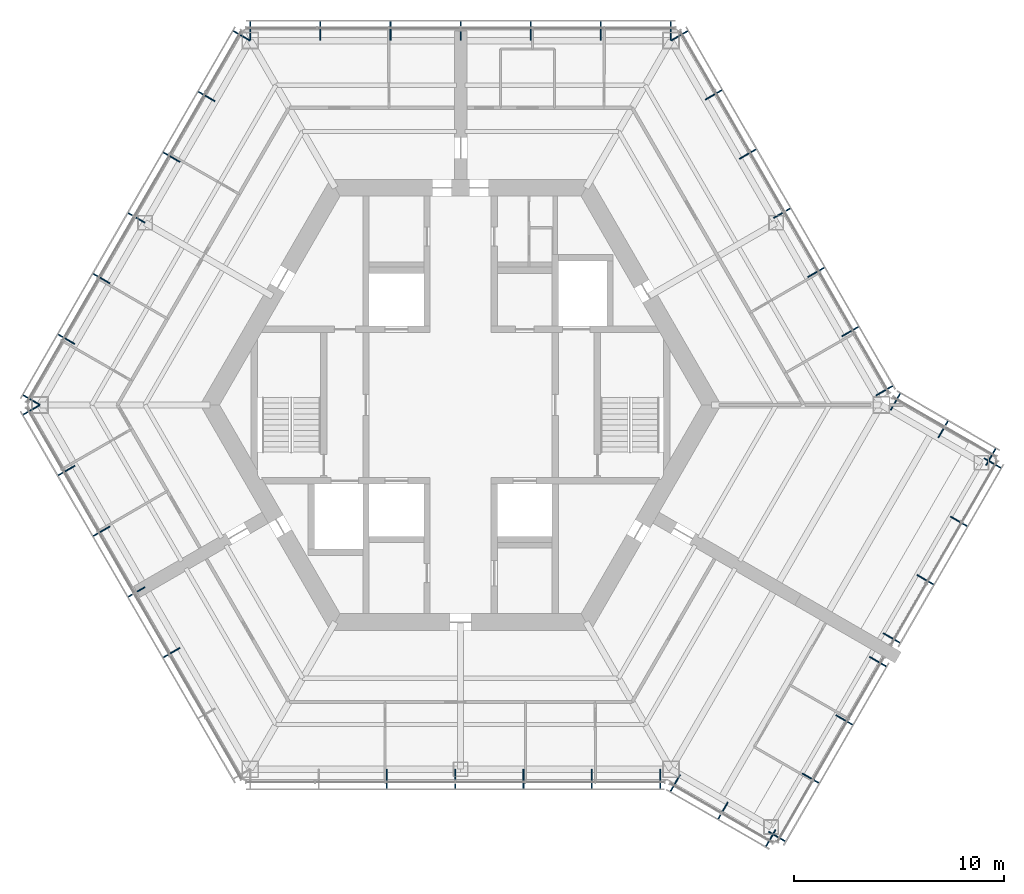
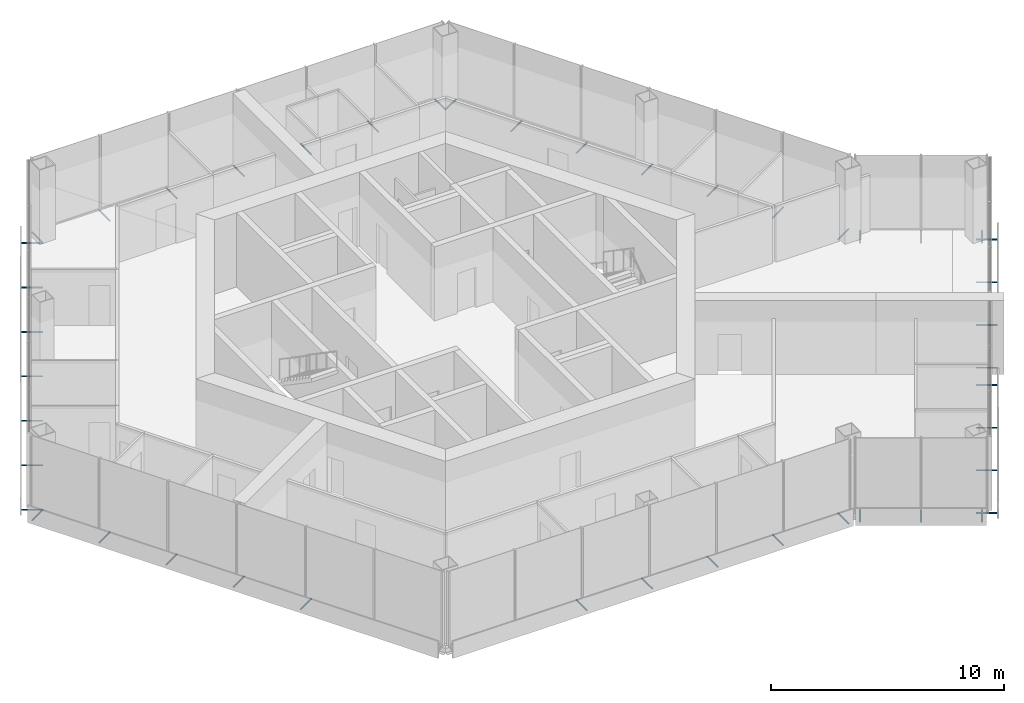
# One storey, part 11 of 13: 45 discrete accessories.
"""IFC4 building model written with IfcOpenShell, lengths in metres."""

import ifcopenshell
import ifcopenshell.guid

model = None  # the IFC model being written
_history = None  # IfcOwnerHistory: only IFC2X3 demands one
_inside = {}  # id of a spatial element -> (the spatial element, [elements in it])
_under = {}  # id of a project, library or spatial element -> (it, [spatial elements below it])
_declared = {}  # id of a project -> (the project, [libraries it declares])
_typed = {}  # id of a type object -> (the type object, [elements of that type])
_made_of = {}  # id of a material, layer set ... -> (it, [elements and type objects made of it])


def new_model(schema):
    """Start an empty IFC model of exactly this schema.

    Asked for "IFC4X3", IfcOpenShell would pick the latest addendum, in which some entities
    have other attributes; the version numbers below select the first issue.
    IFC2X3 requires an IfcOwnerHistory on every rooted entity: one is made here for all.
    """
    global model, _history
    if schema == "IFC4X3":
        model = ifcopenshell.file(schema_version=(4, 3, 0, 0))
    else:
        model = ifcopenshell.file(schema=schema)
    _inside.clear()
    _under.clear()
    _declared.clear()
    _typed.clear()
    _made_of.clear()
    _history = None
    if model.schema == "IFC2X3":
        org = make("IfcOrganization", Name="unknown")
        user = make(
            "IfcPersonAndOrganization",
            ThePerson=make("IfcPerson", FamilyName="unknown"),
            TheOrganization=org,
        )
        app = make(
            "IfcApplication",
            ApplicationDeveloper=org,
            Version="unknown",
            ApplicationFullName="unknown",
            ApplicationIdentifier="unknown",
        )
        _history = make(
            "IfcOwnerHistory",
            OwningUser=user,
            OwningApplication=app,
            ChangeAction="ADDED",
            CreationDate=0,
        )
    return model


def make(cls, **values):
    """One entity of the class cls with the attributes given. An attribute that is None is left unset."""
    return model.create_entity(
        cls, **{name: value for name, value in values.items() if value is not None}
    )


def rooted(cls, **values):
    """An entity with a GlobalId (a new one), such as an element, a storey or a relation."""
    return make(cls, GlobalId=ifcopenshell.guid.new(), OwnerHistory=_history, **values)


def si_unit(unit_type, name, prefix=None):
    """IfcSIUnit, for example si_unit("LENGTHUNIT", "METRE", prefix="MILLI")."""
    return make("IfcSIUnit", UnitType=unit_type, Prefix=prefix, Name=name)


def assignment(units):
    """IfcUnitAssignment: the units of a project."""
    return None if units is None else make("IfcUnitAssignment", Units=units)


def point(xyz):
    """IfcCartesianPoint."""
    return None if xyz is None else make("IfcCartesianPoint", Coordinates=xyz)


def direction(xyz):
    """IfcDirection."""
    return None if xyz is None else make("IfcDirection", DirectionRatios=xyz)


def frame(location, z_axis=None, x_axis=None):
    """IfcAxis2Placement3D, a coordinate frame: its origin and axes. An axis left out is left unset."""
    return make(
        "IfcAxis2Placement3D",
        Location=point(location),
        Axis=direction(z_axis),
        RefDirection=direction(x_axis),
    )


def frame_2d(location, x_axis=None):
    """IfcAxis2Placement2D, a coordinate frame in the plane: its origin and x axis."""
    return make(
        "IfcAxis2Placement2D", Location=point(location), RefDirection=direction(x_axis)
    )


def origin():
    """The frame at (0, 0, 0) with its axes left unset."""
    return frame((0.0, 0.0, 0.0))


def origin_2d():
    """The frame at (0, 0) in the plane with its x axis left unset."""
    return frame_2d((0.0, 0.0))


def place(relative_to, where):
    """IfcLocalPlacement: puts the frame where relative to a parent placement (None: the world)."""
    return make(
        "IfcLocalPlacement", PlacementRelTo=relative_to, RelativePlacement=where
    )


def context(
    kind, dimensions, precision=None, world=None, true_north=None, identifier=None
):
    """IfcGeometricRepresentationContext, for example the 3D "Model" context."""
    return make(
        "IfcGeometricRepresentationContext",
        ContextIdentifier=identifier,
        ContextType=kind,
        CoordinateSpaceDimension=dimensions,
        Precision=precision,
        WorldCoordinateSystem=world,
        TrueNorth=true_north,
    )


def subcontext(parent, identifier, kind, view, scale=None):
    """IfcGeometricRepresentationSubContext, for example "Body" below "Model"."""
    return make(
        "IfcGeometricRepresentationSubContext",
        ContextIdentifier=identifier,
        ContextType=kind,
        ParentContext=parent,
        TargetScale=scale,
        TargetView=view,
    )


def project(units=None, contexts=None):
    """IfcProject with its units and contexts."""
    return rooted(
        "IfcProject",
        Name="project",
        RepresentationContexts=contexts,
        UnitsInContext=assignment(units),
    )


def spatial(cls, under=None, at=None, **own):
    """A site, building, storey or space (cls), placed at a placement, below another one or the project."""
    s = rooted(cls, ObjectPlacement=at, **own)
    if under is not None:
        _under.setdefault(under.id(), (under, []))[1].append(s)
    return s


def profile(cls, at=None, kind="AREA", **sizes):
    """A parametric profile (cls). Its sizes go by their IFC names, for example OverallWidth=200.0."""
    return make(cls, ProfileType=kind, Position=at, **sizes)


def hollow_circle(**sizes):
    """IfcCircleHollowProfileDef."""
    return profile("IfcCircleHollowProfileDef", **sizes)


def extrude(swept, where, along, depth):
    """IfcExtrudedAreaSolid: the profile swept, set in the frame where, extruded along a direction by depth."""
    return make(
        "IfcExtrudedAreaSolid",
        SweptArea=swept,
        Position=where,
        ExtrudedDirection=direction(along),
        Depth=depth,
    )


def shape(context_of_items, identifier, shape_type, items):
    """IfcShapeRepresentation: the items that make up one representation, for example the "Body"."""
    return make(
        "IfcShapeRepresentation",
        ContextOfItems=context_of_items,
        RepresentationIdentifier=identifier,
        RepresentationType=shape_type,
        Items=items,
    )


def material(Name=None, Category=None):
    """IfcMaterial."""
    return make("IfcMaterial", Name=Name, Category=Category)


def material_profile(
    of_material, cross_section, Name=None, Category=None, Priority=None
):
    """IfcMaterialProfile: a cross section and its material."""
    return make(
        "IfcMaterialProfile",
        Name=Name,
        Material=of_material,
        Profile=cross_section,
        Priority=Priority,
        Category=Category,
    )


def profile_set(profiles, Name=None, composite=None):
    """IfcMaterialProfileSet."""
    return make(
        "IfcMaterialProfileSet",
        Name=Name,
        MaterialProfiles=profiles,
        CompositeProfile=composite,
    )


def made_of(thing, what):
    """Note that an element or type object is made of a material, layer set ...; save() writes the relation."""
    if what is not None:
        _made_of.setdefault(what.id(), (what, []))[1].append(thing)
    return thing


def type_object(cls, material=None, **own):
    """A type object (cls), such as IfcWallType, which elements share."""
    return made_of(rooted(cls, **own), material)


def element(
    cls,
    number,
    at=None,
    inside=None,
    cuts=None,
    type_object=None,
    material=None,
    context=None,
    identifier="Body",
    shape_type=None,
    held_by="IfcProductDefinitionShape",
    body=None,
    shapes=None,
    **own,
):
    """One element of the class cls, such as IfcWall. Its Tag is "e" and its number.

    at: its placement. inside: the storey or other place that contains it. cuts: it is an
    opening in that element (IfcRelVoidsElement). A single representation is given by context,
    identifier, shape_type and body (its items); several are given by shapes. held_by: the class
    of the entity that holds the representations. save() writes the other relations.
    """
    e = rooted(cls, Tag="e%d" % number, ObjectPlacement=at, **own)
    if body is not None:
        shapes = [shape(context, identifier, shape_type, body)]
    if shapes is not None:
        e.Representation = make(held_by, Representations=shapes)
    if inside is not None:
        _inside.setdefault(inside.id(), (inside, []))[1].append(e)
    if cuts is not None:
        rooted(
            "IfcRelVoidsElement", RelatingBuildingElement=cuts, RelatedOpeningElement=e
        )
    if type_object is not None:
        _typed.setdefault(type_object.id(), (type_object, []))[1].append(e)
    return made_of(e, material)


def aggregate(whole, parts):
    """IfcRelAggregates: a whole, such as a stair, and the parts it consists of."""
    return rooted("IfcRelAggregates", RelatingObject=whole, RelatedObjects=parts)


def save(model, path):
    """Write the relations noted so far, then the file.

    IfcRelAggregates (storeys below a building ...), IfcRelContainedInSpatialStructure (elements
    in a storey), IfcRelDefinesByType, IfcRelAssociatesMaterial and IfcRelDeclares: one each for
    every whole, place, type object, material and project.
    """
    for whole, parts in _under.values():
        aggregate(whole, parts)
    for where, things in _inside.values():
        rooted(
            "IfcRelContainedInSpatialStructure",
            RelatedElements=things,
            RelatingStructure=where,
        )
    for kind, things in _typed.values():
        rooted("IfcRelDefinesByType", RelatedObjects=things, RelatingType=kind)
    for what, things in _made_of.values():
        rooted("IfcRelAssociatesMaterial", RelatedObjects=things, RelatingMaterial=what)
    for by, libraries in _declared.values():
        rooted("IfcRelDeclares", RelatingContext=by, RelatedDefinitions=libraries)
    model.write(path)


model = new_model("IFC4")

# Units and contexts
model_context = context("Model", 3, precision=1e-05, world=origin(), true_north=direction((0.0, 1.0)))
body_context = subcontext(model_context, "Body", "Model", "MODEL_VIEW")
ifc_project = project(units=[si_unit("LENGTHUNIT", "METRE"), si_unit("AREAUNIT", "SQUARE_METRE"), si_unit("VOLUMEUNIT", "CUBIC_METRE"), si_unit("PLANEANGLEUNIT", "RADIAN"), si_unit("MASSUNIT", "GRAM", prefix="KILO")], contexts=[model_context])

# Site, building, storey
site_placement = place(None, origin())
site = spatial("IfcSite", under=ifc_project, at=site_placement, CompositionType="ELEMENT")
building_placement = place(site_placement, origin())
building = spatial("IfcBuilding", under=site, at=building_placement, Name="Kasaneha Research Tower", CompositionType="ELEMENT")
storey_placement = place(building_placement, frame((0.0, 0.0, 283.0)))
storey = spatial("IfcBuildingStorey", under=building, at=storey_placement, Name="L71", CompositionType="ELEMENT", Elevation=283.0)

# Discrete accessories
ifc_material = material(Name="Steel STK400", Category="steel")
ifc_material_profile = material_profile(ifc_material, hollow_circle(Radius=0.0380859375, WallThickness=0.00390625, at=origin_2d()), Name="CHS-76.3x4.0")
ifc_profile_set = profile_set([ifc_material_profile], Name="Steel STK400")
discrete_accessory_type = type_object("IfcDiscreteAccessoryType", Name="Screen bracket CHS-76.3x4.0", PredefinedType="BRACKET", material=ifc_profile_set)
for number, where, z_axis, x_axis, name in (
    (1, (19.74462890625, 0.4423828125, -0.300048828125), (0.866013213425, 0.500021113727, 0.0), (-0.500021113727, 0.866013213425, 0.0), "Screen bracket 1"),
    (2, (18.120849609375, 3.2548828125, -0.300048828125), (0.866013213425, 0.500021113727, 0.0), (-0.500021113727, 0.866013213425, 0.0), "Screen bracket 2"),
    (3, (16.4970703125, 6.0673828125, -0.300048828125), (0.866013213425, 0.500021113727, 0.0), (-0.500021113727, 0.866013213425, 0.0), "Screen bracket 3"),
    (4, (14.873291015625, 8.8798828125, -0.300048828125), (0.866013213425, 0.500021113727, 0.0), (-0.500021113727, 0.866013213425, 0.0), "Screen bracket 4"),
    (5, (13.24951171875, 11.6923828125, -0.300048828125), (0.866013213425, 0.500021113727, 0.0), (-0.500021113727, 0.866013213425, 0.0), "Screen bracket 5"),
):
    element("IfcDiscreteAccessory", number, at=place(storey_placement, frame(where, z_axis=z_axis, x_axis=x_axis)), inside=storey, type_object=discrete_accessory_type, Name=name, PredefinedType="BRACKET", context=body_context, shape_type="SweptSolid", body=[
        extrude(hollow_circle(Radius=0.0380859375, WallThickness=0.00390625, at=origin_2d()), origin(), (0.0, 0.0, 1.0), 0.919921875),
    ])
for number, where, z_axis, x_axis, name in (
    (6, (11.62548828125, 14.5048828125, -0.300048828125), (0.866079547155, 0.499906209203, 0.0), (-0.499906209203, 0.866079547155, 0.0), "Screen bracket 6"),
    (7, (10.001708984375, 17.3173828125, -0.300048828125), (0.866079547155, 0.499906209203, 0.0), (-0.499906209203, 0.866079547155, 0.0), "Screen bracket 7"),
):
    element("IfcDiscreteAccessory", number, at=place(storey_placement, frame(where, z_axis=z_axis, x_axis=x_axis)), inside=storey, type_object=discrete_accessory_type, Name=name, PredefinedType="BRACKET", context=body_context, shape_type="SweptSolid", body=[
        extrude(hollow_circle(Radius=0.0380859375, WallThickness=0.00390625, at=origin_2d()), origin(), (0.0, 0.0, 1.0), 0.920166015625),
    ])
for number, where, z_axis, x_axis, name in (
    (8, (9.996337890625, 17.320556640625, -0.300048828125), (0.0, 1.0, 0.0), (-1.0, 0.0, 0.0), "Screen bracket 1"),
    (9, (6.664306640625, 17.320556640625, -0.300048828125), (0.0, 1.0, 0.0), (-1.0, 0.0, 0.0), "Screen bracket 2"),
    (10, (3.33203125, 17.320556640625, -0.300048828125), (0.0, 1.0, 0.0), (-1.0, 0.0, 0.0), "Screen bracket 3"),
    (11, (0.0, 17.320556640625, -0.300048828125), (0.0, 1.0, 0.0), (-1.0, 0.0, 0.0), "Screen bracket 4"),
    (12, (-3.33203125, 17.320556640625, -0.300048828125), (0.0, 1.0, 0.0), (-1.0, 0.0, 0.0), "Screen bracket 5"),
    (13, (-6.664306640625, 17.320556640625, -0.300048828125), (0.0, 1.0, 0.0), (-1.0, 0.0, 0.0), "Screen bracket 6"),
    (14, (-9.996337890625, 17.320556640625, -0.300048828125), (0.0, 1.0, 0.0), (-1.0, 0.0, 0.0), "Screen bracket 7"),
):
    element("IfcDiscreteAccessory", number, at=place(storey_placement, frame(where, z_axis=z_axis, x_axis=x_axis)), inside=storey, type_object=discrete_accessory_type, Name=name, PredefinedType="BRACKET", context=body_context, shape_type="SweptSolid", body=[
        extrude(hollow_circle(Radius=0.0380859375, WallThickness=0.00390625, at=origin_2d()), origin(), (0.0, 0.0, 1.0), 0.919921875),
    ])
discrete_accessory_1_placement = place(storey_placement, frame((-10.001708984375, 17.3173828125, -0.300048828125), z_axis=(-0.866079547155, 0.499906209203, 0.0), x_axis=(-0.499906209203, -0.866079547155, 0.0)))
element("IfcDiscreteAccessory", 15, at=discrete_accessory_1_placement, inside=storey, type_object=discrete_accessory_type, Name="Screen bracket 1", PredefinedType="BRACKET", context=body_context, shape_type="SweptSolid", body=[
    extrude(hollow_circle(Radius=0.0380859375, WallThickness=0.00390625, at=origin_2d()), origin(), (0.0, 0.0, 1.0), 0.920166015625),
])
for number, where, z_axis, x_axis, name in (
    (16, (-11.66796875, 14.431640625, -0.300048828125), (-0.866013213425, 0.500021113727, 0.0), (-0.500021113727, -0.866013213425, 0.0), "Screen bracket 2"),
    (17, (-13.333984375, 11.5458984375, -0.300048828125), (-0.866013213425, 0.500021113727, 0.0), (-0.500021113727, -0.866013213425, 0.0), "Screen bracket 3"),
    (18, (-15.0, 8.66015625, -0.300048828125), (-0.865898279276, 0.500220121494, 0.0), (-0.500220121494, -0.865898279276, 0.0), "Screen bracket 4"),
):
    element("IfcDiscreteAccessory", number, at=place(storey_placement, frame(where, z_axis=z_axis, x_axis=x_axis)), inside=storey, type_object=discrete_accessory_type, Name=name, PredefinedType="BRACKET", context=body_context, shape_type="SweptSolid", body=[
        extrude(hollow_circle(Radius=0.0380859375, WallThickness=0.00390625, at=origin_2d()), origin(), (0.0, 0.0, 1.0), 0.919921875),
    ])
for number, where, z_axis, x_axis, name in (
    (19, (-16.666015625, 5.774658203125, -0.300048828125), (-0.866079547155, 0.499906209203, 0.0), (-0.499906209203, -0.866079547155, 0.0), "Screen bracket 5"),
    (20, (-18.33203125, 2.888916015625, -0.300048828125), (-0.866079547155, 0.499906209203, 0.0), (-0.499906209203, -0.866079547155, 0.0), "Screen bracket 6"),
):
    element("IfcDiscreteAccessory", number, at=place(storey_placement, frame(where, z_axis=z_axis, x_axis=x_axis)), inside=storey, type_object=discrete_accessory_type, Name=name, PredefinedType="BRACKET", context=body_context, shape_type="SweptSolid", body=[
        extrude(hollow_circle(Radius=0.0380859375, WallThickness=0.00390625, at=origin_2d()), origin(), (0.0, 0.0, 1.0), 0.920166015625),
    ])
for number, where, z_axis, x_axis, name in (
    (21, (-19.998291015625, 0.003173828125, -0.300048828125), (-0.866013213425, 0.500021113727, 0.0), (-0.500021113727, -0.866013213425, 0.0), "Screen bracket 7"),
    (22, (-19.998291015625, -0.003173828125, -0.300048828125), (-0.866013213425, -0.500021113727, 0.0), (0.500021113727, -0.866013213425, 0.0), "Screen bracket 1"),
):
    element("IfcDiscreteAccessory", number, at=place(storey_placement, frame(where, z_axis=z_axis, x_axis=x_axis)), inside=storey, type_object=discrete_accessory_type, Name=name, PredefinedType="BRACKET", context=body_context, shape_type="SweptSolid", body=[
        extrude(hollow_circle(Radius=0.0380859375, WallThickness=0.00390625, at=origin_2d()), origin(), (0.0, 0.0, 1.0), 0.919921875),
    ])
for number, where, z_axis, x_axis, name in (
    (23, (-18.33203125, -2.888916015625, -0.300048828125), (-0.866079547155, -0.499906209203, 0.0), (0.499906209203, -0.866079547155, 0.0), "Screen bracket 2"),
    (24, (-16.666015625, -5.774658203125, -0.300048828125), (-0.866079547155, -0.499906209203, 0.0), (0.499906209203, -0.866079547155, 0.0), "Screen bracket 3"),
):
    element("IfcDiscreteAccessory", number, at=place(storey_placement, frame(where, z_axis=z_axis, x_axis=x_axis)), inside=storey, type_object=discrete_accessory_type, Name=name, PredefinedType="BRACKET", context=body_context, shape_type="SweptSolid", body=[
        extrude(hollow_circle(Radius=0.0380859375, WallThickness=0.00390625, at=origin_2d()), origin(), (0.0, 0.0, 1.0), 0.920166015625),
    ])
for number, where, z_axis, x_axis, name in (
    (25, (-15.0, -8.66015625, -0.300048828125), (-0.865898279276, -0.500220121494, 0.0), (0.500220121494, -0.865898279276, 0.0), "Screen bracket 4"),
    (26, (-13.333984375, -11.5458984375, -0.300048828125), (-0.866013213425, -0.500021113727, 0.0), (0.500021113727, -0.866013213425, 0.0), "Screen bracket 5"),
    (27, (-3.501220703125, -17.320556640625, -0.300048828125), (0.0, -1.0, 0.0), (1.0, 0.0, 0.0), "Screen bracket 3"),
    (28, (-0.253662109375, -17.320556640625, -0.300048828125), (0.0, -1.0, 0.0), (1.0, 0.0, 0.0), "Screen bracket 4"),
    (29, (2.993896484375, -17.320556640625, -0.300048828125), (0.0, -1.0, 0.0), (1.0, 0.0, 0.0), "Screen bracket 5"),
    (30, (6.24169921875, -17.320556640625, -0.300048828125), (0.0, -1.0, 0.0), (1.0, 0.0, 0.0), "Screen bracket 6"),
    (31, (9.4892578125, -17.320556640625, -0.300048828125), (0.0, -1.0, 0.0), (1.0, 0.0, 0.0), "Screen bracket 7"),
    (32, (10.4423828125, -17.575927734375, -0.300048828125), (-0.500021113727, -0.866013213425, 0.0), (0.866013213425, -0.500021113727, 0.0), "Screen bracket 1"),
    (33, (12.7109375, -18.8857421875, -0.300048828125), (-0.500021113727, -0.866013213425, 0.0), (0.866013213425, -0.500021113727, 0.0), "Screen bracket 2"),
    (34, (14.979736328125, -20.195556640625, -0.300048828125), (-0.500220121494, -0.865898279276, 0.0), (0.865898279276, -0.500220121494, 0.0), "Screen bracket 3"),
    (35, (14.63818359375, -20.287109375, -0.300048828125), (0.866013213425, -0.500021113727, 0.0), (0.500021113727, 0.866013213425, 0.0), "Screen bracket 1"),
):
    element("IfcDiscreteAccessory", number, at=place(storey_placement, frame(where, z_axis=z_axis, x_axis=x_axis)), inside=storey, type_object=discrete_accessory_type, Name=name, PredefinedType="BRACKET", context=body_context, shape_type="SweptSolid", body=[
        extrude(hollow_circle(Radius=0.0380859375, WallThickness=0.00390625, at=origin_2d()), origin(), (0.0, 0.0, 1.0), 0.919921875),
    ])
discrete_accessory_2_placement = place(storey_placement, frame((16.238037109375, -17.515625, -0.300048828125), z_axis=(0.865964657013, -0.500105201737, 0.0), x_axis=(0.500105201737, 0.865964657013, 0.0)))
element("IfcDiscreteAccessory", 36, at=discrete_accessory_2_placement, inside=storey, type_object=discrete_accessory_type, Name="Screen bracket 2", PredefinedType="BRACKET", context=body_context, shape_type="SweptSolid", body=[
    extrude(hollow_circle(Radius=0.0380859375, WallThickness=0.00390625, at=origin_2d()), origin(), (0.0, 0.0, 1.0), 0.920166015625),
])
for number, where, z_axis, x_axis, name in (
    (37, (17.838134765625, -14.744384765625, -0.300048828125), (0.866013213425, -0.500021113727, 0.0), (0.500021113727, 0.866013213425, 0.0), "Screen bracket 3"),
    (38, (19.438232421875, -11.97314453125, -0.300048828125), (0.866013213425, -0.500021113727, 0.0), (0.500021113727, 0.866013213425, 0.0), "Screen bracket 4"),
    (39, (20.088134765625, -10.847412109375, -0.300048828125), (0.866013213425, -0.500021113727, 0.0), (0.500021113727, 0.866013213425, 0.0), "Screen bracket 1"),
    (40, (21.688232421875, -8.076171875, -0.300048828125), (0.866013213425, -0.500021113727, 0.0), (0.500021113727, 0.866013213425, 0.0), "Screen bracket 2"),
):
    element("IfcDiscreteAccessory", number, at=place(storey_placement, frame(where, z_axis=z_axis, x_axis=x_axis)), inside=storey, type_object=discrete_accessory_type, Name=name, PredefinedType="BRACKET", context=body_context, shape_type="SweptSolid", body=[
        extrude(hollow_circle(Radius=0.0380859375, WallThickness=0.00390625, at=origin_2d()), origin(), (0.0, 0.0, 1.0), 0.919921875),
    ])
discrete_accessory_3_placement = place(storey_placement, frame((23.2880859375, -5.3046875, -0.300048828125), z_axis=(0.865964657013, -0.500105201737, 0.0), x_axis=(0.500105201737, 0.865964657013, 0.0)))
element("IfcDiscreteAccessory", 41, at=discrete_accessory_3_placement, inside=storey, type_object=discrete_accessory_type, Name="Screen bracket 3", PredefinedType="BRACKET", context=body_context, shape_type="SweptSolid", body=[
    extrude(hollow_circle(Radius=0.0380859375, WallThickness=0.00390625, at=origin_2d()), origin(), (0.0, 0.0, 1.0), 0.920166015625),
])
for number, where, z_axis, x_axis, name in (
    (42, (24.88818359375, -2.533447265625, -0.300048828125), (0.866013213425, -0.500021113727, 0.0), (0.500021113727, 0.866013213425, 0.0), "Screen bracket 4"),
    (43, (24.979736328125, -2.875, -0.300048828125), (0.500021113727, 0.866013213425, 0.0), (-0.866013213425, 0.500021113727, 0.0), "Screen bracket 1"),
    (44, (22.7109375, -1.565185546875, -0.300048828125), (0.500021113727, 0.866013213425, 0.0), (-0.866013213425, 0.500021113727, 0.0), "Screen bracket 2"),
    (45, (20.4423828125, -0.25537109375, -0.300048828125), (0.500021113727, 0.866013213425, 0.0), (-0.866013213425, 0.500021113727, 0.0), "Screen bracket 3"),
):
    element("IfcDiscreteAccessory", number, at=place(storey_placement, frame(where, z_axis=z_axis, x_axis=x_axis)), inside=storey, type_object=discrete_accessory_type, Name=name, PredefinedType="BRACKET", context=body_context, shape_type="SweptSolid", body=[
        extrude(hollow_circle(Radius=0.0380859375, WallThickness=0.00390625, at=origin_2d()), origin(), (0.0, 0.0, 1.0), 0.919921875),
    ])

save(model, "model.ifc")
